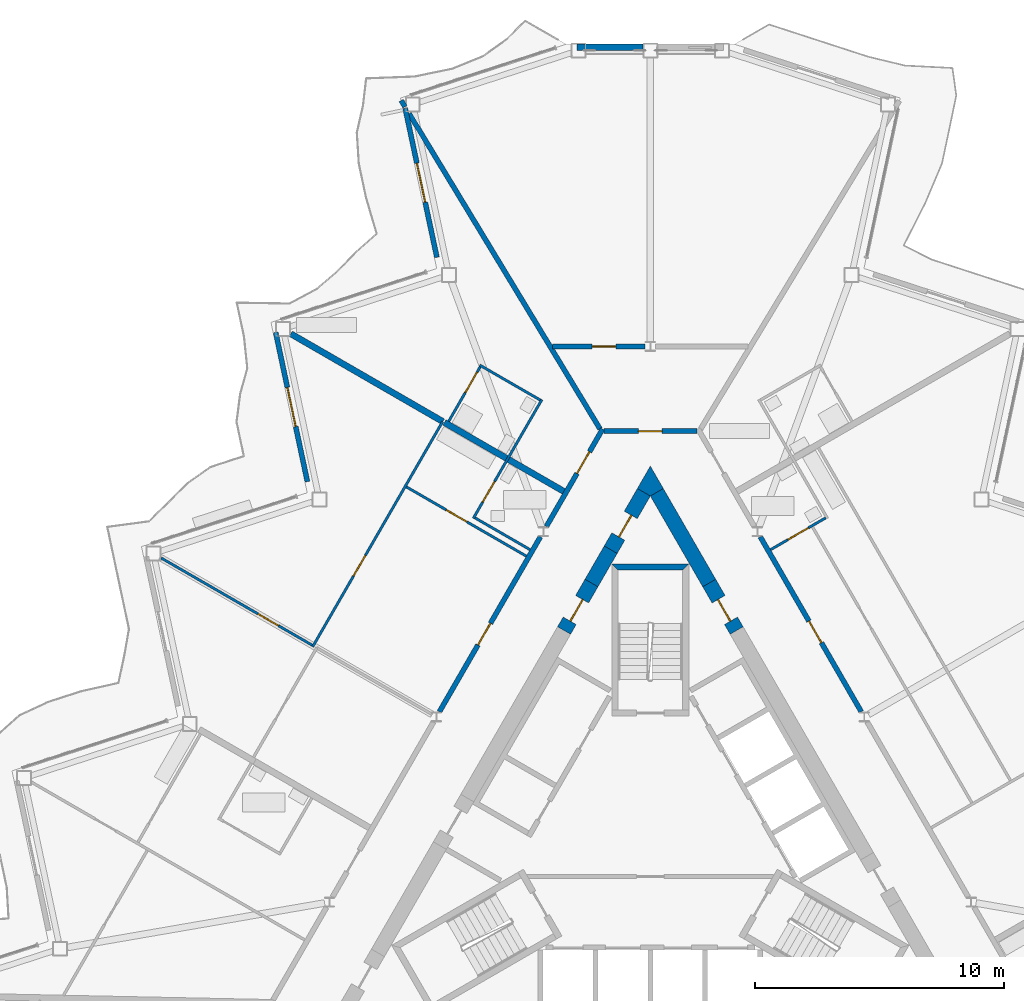
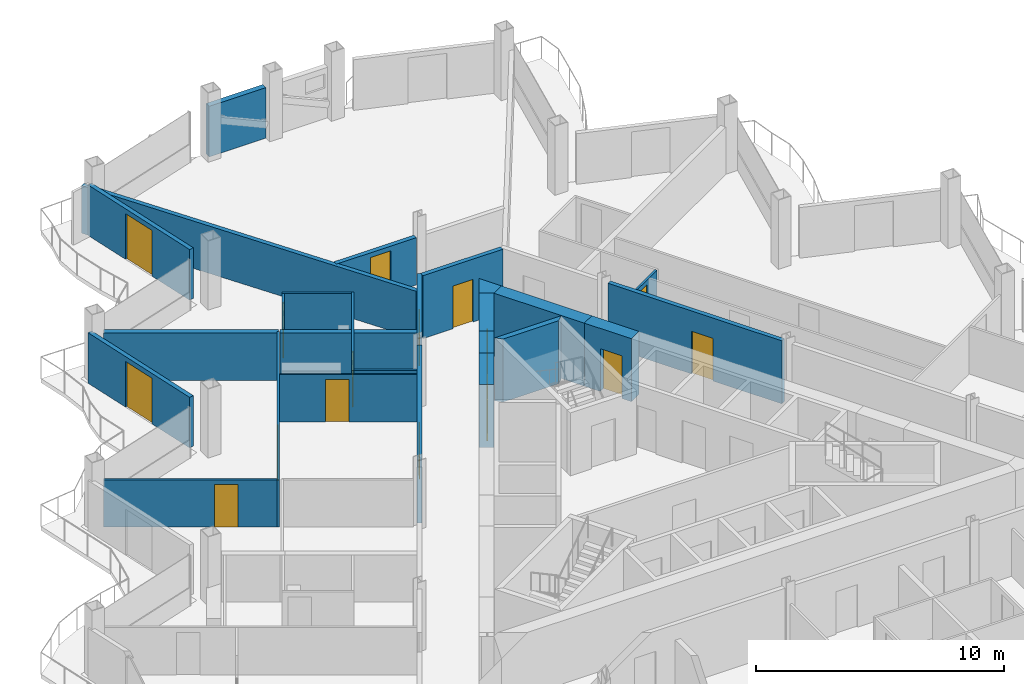
# One storey, part 18 of 27: 27 walls, 16 doors, 16 openings.
"""IFC4 building model written with IfcOpenShell, lengths in metres."""

from ifc_helpers import new_model, si_unit, direction, frame, frame_2d, origin, place, context, subcontext, project, spatial, polyline, rectangle, outline, extrude, material, layer, layer_set, type_object, element, fill, save


model = new_model("IFC4")

# Units and contexts
model_context = context("Model", 3, precision=1e-05, world=origin(), true_north=direction((0.0, 1.0)))
body_context = subcontext(model_context, "Body", "Model", "MODEL_VIEW")
ifc_project = project(units=[si_unit("LENGTHUNIT", "METRE"), si_unit("AREAUNIT", "SQUARE_METRE"), si_unit("VOLUMEUNIT", "CUBIC_METRE"), si_unit("PLANEANGLEUNIT", "RADIAN"), si_unit("MASSUNIT", "GRAM", prefix="KILO")], contexts=[model_context])

# Site, building, storey
site_placement = place(None, origin())
site = spatial("IfcSite", under=ifc_project, at=site_placement, CompositionType="ELEMENT")
building_placement = place(site_placement, origin())
building = spatial("IfcBuilding", under=site, at=building_placement, Name="Cormorant Prow Tower", CompositionType="ELEMENT")
storey_placement = place(building_placement, frame((0.0, 0.0, 318.800048828125)))
storey = spatial("IfcBuildingStorey", under=building, at=storey_placement, Name="L70", CompositionType="ELEMENT", Elevation=318.800048828125)

# Walls
ifc_material_1 = material(Name="Concrete 8000 psi", Category="concrete")
ifc_layer_1 = layer(ifc_material_1, 0.60009765625)
ifc_layer_set_1 = layer_set([ifc_layer_1], Name="Concrete 8000 psi")
wall_type_1 = type_object("IfcWallType", Name="Core shear wall 600", PredefinedType="SHEAR", material=ifc_layer_set_1)
wall_1_placement = place(storey_placement, frame((2.36083984375, 10.322021484375, 0.0), z_axis=(0.0, 0.0, 1.0), x_axis=(-0.500000735859, 0.866024978935, 0.0)))
element("IfcWall", 1, at=wall_1_placement, inside=storey, type_object=wall_type_1, Name="Core wall", PredefinedType="SHEAR", context=body_context, shape_type="SweptSolid", body=[
    extrude(rectangle(XDim=4.2021484375, YDim=0.60009765625, at=frame_2d((2.10107421875, 0.0))), origin(), (0.0, 0.0, 1.0), 3.099853515625),
])
wall_2_placement = place(storey_placement, frame((-1.589599609375, 11.65771484375, 0.0), z_axis=(0.0, 0.0, 1.0), x_axis=(-0.500037594623, -0.866003697431, 0.0)))
element("IfcWall", 2, at=wall_2_placement, inside=storey, type_object=wall_type_1, Name="Core wall", PredefinedType="SHEAR", context=body_context, shape_type="SweptSolid", body=[
    extrude(rectangle(XDim=1.54248046875, YDim=0.60009765625, at=frame_2d((0.771240234375, 0.0))), origin(), (0.0, 0.0, 1.0), 3.099853515625),
])
wall_3_placement = place(storey_placement, origin())
element("IfcWall", 3, at=wall_3_placement, inside=storey, type_object=wall_type_1, Name="Core wall corner", PredefinedType="SHEAR", context=body_context, shape_type="SweptSolid", body=[
    extrude(outline(polyline([(0.0, 13.81103515625), (-0.51953125, 14.111083984375), (0.0, 15.010986328125), (0.51953125, 14.111083984375), (0.0, 13.81103515625)])), origin(), (0.0, 0.0, 1.0), 3.099853515625),
])

# Wall, opening, door
wall_4_placement = place(storey_placement, frame((3.460693359375, 8.416748046875, 0.0), z_axis=(0.0, 0.0, 1.0), x_axis=(-0.499946605688, 0.86605622881, 0.0)))
wall_4 = element("IfcWall", 4, at=wall_4_placement, inside=storey, type_object=wall_type_1, Name="Core wall door panel", PredefinedType="SHEAR", context=body_context, shape_type="SweptSolid", body=[
    extrude(rectangle(XDim=2.199951171875, YDim=0.60009765625, at=frame_2d((1.10009765625, 0.0))), origin(), (0.0, 0.0, 1.0), 3.099853515625),
])
opening_1_placement = place(wall_4_placement, frame((0.449951171875, 0.0, 0.0)))
opening_1 = element("IfcOpeningElement", 5, at=opening_1_placement, cuts=wall_4, Name="Opening L70-C17", PredefinedType="OPENING", context=body_context, shape_type="SweptSolid", body=[
    extrude(rectangle(XDim=1.0, YDim=2.10009765625, at=frame_2d((0.5, 1.050048828125))), frame((0.0, 0.31005859375, 0.0), z_axis=(0.0, -1.0, 0.0), x_axis=(1.0, 0.0, 0.0)), (0.0, 0.0, 1.0), 0.6201171875),
])
ifc_material_2 = material(Name="Painted steel", Category="steel")
door_type_1 = type_object("IfcDoorType", Name="Service door 1000x2100", OperationType="NOTDEFINED", PredefinedType="DOOR", material=ifc_material_2)
door_1_placement = place(opening_1_placement, origin())
door_1 = element("IfcDoor", 6, at=door_1_placement, inside=storey, type_object=door_type_1, Name="Core door, Mechanical riser room", OperationType="SINGLE_SWING_RIGHT", OverallHeight=2.10009765625, OverallWidth=1.0, PredefinedType="DOOR", context=body_context, shape_type="SweptSolid", body=[
    extrude(rectangle(XDim=1.0, YDim=2.10009765625, at=frame_2d((0.5, 1.050048828125))), frame((0.0, 0.05517578125, 0.0), z_axis=(0.0, -1.0, 0.0), x_axis=(1.0, 0.0, 0.0)), (0.0, 0.0, 1.0), 0.050048828125),
])
fill(opening_1, door_1)

wall_5_placement = place(storey_placement, frame((-2.36083984375, 10.322021484375, 0.0), z_axis=(0.0, 0.0, 1.0), x_axis=(-0.499946605688, -0.86605622881, 0.0)))
wall_5 = element("IfcWall", 7, at=wall_5_placement, inside=storey, type_object=wall_type_1, Name="Core wall door panel", PredefinedType="SHEAR", context=body_context, shape_type="SweptSolid", body=[
    extrude(rectangle(XDim=2.199951171875, YDim=0.60009765625, at=frame_2d((1.10009765625, 0.0))), origin(), (0.0, 0.0, 1.0), 3.099853515625),
])
opening_2_placement = place(wall_5_placement, frame((0.75, 0.0, 0.0)))
opening_2 = element("IfcOpeningElement", 8, at=opening_2_placement, cuts=wall_5, Name="Opening L70-C18", PredefinedType="OPENING", context=body_context, shape_type="SweptSolid", body=[
    extrude(rectangle(XDim=1.0, YDim=2.10009765625, at=frame_2d((0.5, 1.050048828125))), frame((0.0, 0.31005859375, 0.0), z_axis=(0.0, -1.0, 0.0), x_axis=(1.0, 0.0, 0.0)), (0.0, 0.0, 1.0), 0.6201171875),
])
door_2_placement = place(opening_2_placement, origin())
door_2 = element("IfcDoor", 9, at=door_2_placement, inside=storey, type_object=door_type_1, Name="Core door, Mechanical riser room", OperationType="SINGLE_SWING_LEFT", OverallHeight=2.10009765625, OverallWidth=1.0, PredefinedType="DOOR", context=body_context, shape_type="SweptSolid", body=[
    extrude(rectangle(XDim=1.0, YDim=2.10009765625, at=frame_2d((0.5, 1.050048828125))), frame((0.0, 0.05517578125, 0.0), z_axis=(0.0, -1.0, 0.0), x_axis=(1.0, 0.0, 0.0)), (0.0, 0.0, 1.0), 0.050048828125),
])
fill(opening_2, door_2)

wall_6_placement = place(storey_placement, frame((-0.259765625, 13.961181640625, 0.0), z_axis=(0.0, 0.0, 1.0), x_axis=(-0.49997936161, -0.866037319036, 0.0)))
wall_6 = element("IfcWall", 10, at=wall_6_placement, inside=storey, type_object=wall_type_1, Name="Core wall door panel", PredefinedType="SHEAR", context=body_context, shape_type="SweptSolid", body=[
    extrude(rectangle(XDim=2.65966796875, YDim=0.60009765625, at=frame_2d((1.329833984375, 0.0))), origin(), (0.0, 0.0, 1.0), 3.099853515625),
])
opening_3_placement = place(wall_6_placement, frame((1.050048828125, 0.0, 0.0)))
opening_3 = element("IfcOpeningElement", 11, at=opening_3_placement, cuts=wall_6, Name="Opening L70-C19", PredefinedType="OPENING", context=body_context, shape_type="SweptSolid", body=[
    extrude(rectangle(XDim=1.0, YDim=2.10009765625, at=frame_2d((0.5, 1.050048828125))), frame((0.0, 0.31005859375, 0.0), z_axis=(0.0, -1.0, 0.0), x_axis=(1.0, 0.0, 0.0)), (0.0, 0.0, 1.0), 0.6201171875),
])
door_3_placement = place(opening_3_placement, origin())
door_3 = element("IfcDoor", 12, at=door_3_placement, inside=storey, type_object=door_type_1, Name="Core door, Mechanical riser room", OperationType="SINGLE_SWING_LEFT", OverallHeight=2.10009765625, OverallWidth=1.0, PredefinedType="DOOR", context=body_context, shape_type="SweptSolid", body=[
    extrude(rectangle(XDim=1.0, YDim=2.10009765625, at=frame_2d((0.5, 1.050048828125))), frame((0.0, 0.05517578125, 0.0), z_axis=(0.0, -1.0, 0.0), x_axis=(1.0, 0.0, 0.0)), (0.0, 0.0, 1.0), 0.050048828125),
])
fill(opening_3, door_3)

ifc_material_3 = material(Name="Gypsum board corridor wall")
ifc_layer_2 = layer(ifc_material_3, 0.199951171875)
ifc_layer_set_2 = layer_set([ifc_layer_2], Name="Gypsum board corridor wall")
wall_type_2 = type_object("IfcWallType", Name="Corridor wall 200", PredefinedType="PARTITIONING", material=ifc_layer_set_2)
wall_7_placement = place(storey_placement, frame((-8.45849609375, 5.160400390625, 0.0), z_axis=(0.0, 0.0, 1.0), x_axis=(0.499984266882, 0.866034487114, 0.0)))
wall_7 = element("IfcWall", 13, at=wall_7_placement, inside=storey, type_object=wall_type_2, Name="Corridor wall", PredefinedType="PARTITIONING", context=body_context, shape_type="SweptSolid", body=[
    extrude(rectangle(XDim=8.098876953125, YDim=0.199951171875, at=frame_2d((4.04931640625, 0.0))), origin(), (0.0, 0.0, 1.0), 3.099853515625),
])
opening_4_placement = place(wall_7_placement, frame((3.092529296875, 0.0, 0.0)))
opening_4 = element("IfcOpeningElement", 14, at=opening_4_placement, cuts=wall_7, Name="Opening L70-F37", PredefinedType="OPENING", context=body_context, shape_type="SweptSolid", body=[
    extrude(rectangle(XDim=1.0, YDim=2.10009765625, at=frame_2d((0.5, 1.050048828125))), frame((0.0, 0.10986328125, 0.0), z_axis=(0.0, -1.0, 0.0), x_axis=(1.0, 0.0, 0.0)), (0.0, 0.0, 1.0), 0.219970703125),
])
ifc_material_4 = material(Name="Timber door leaf", Category="wood")
door_type_2 = type_object("IfcDoorType", Name="Flat or room entrance door 1000x2100", OperationType="NOTDEFINED", PredefinedType="DOOR", material=ifc_material_4)
door_4_placement = place(opening_4_placement, origin())
door_4 = element("IfcDoor", 15, at=door_4_placement, inside=storey, type_object=door_type_2, Name="Living room door", OperationType="SINGLE_SWING_LEFT", OverallHeight=2.10009765625, OverallWidth=1.0, PredefinedType="DOOR", context=body_context, shape_type="SweptSolid", body=[
    extrude(rectangle(XDim=1.0, YDim=2.10009765625, at=frame_2d((0.5, 1.050048828125))), frame((0.0, 0.02490234375, 0.0), z_axis=(0.0, -1.0, 0.0), x_axis=(1.0, 0.0, 0.0)), (0.0, 0.0, 1.0), 0.050048828125),
])
fill(opening_4, door_4)

wall_8_placement = place(storey_placement, frame((4.4091796875, 12.17431640625, 0.0), z_axis=(0.0, 0.0, 1.0), x_axis=(0.499984266882, -0.866034487114, 0.0)))
wall_8 = element("IfcWall", 16, at=wall_8_placement, inside=storey, type_object=wall_type_2, Name="Corridor wall", PredefinedType="PARTITIONING", context=body_context, shape_type="SweptSolid", body=[
    extrude(rectangle(XDim=8.098876953125, YDim=0.199951171875, at=frame_2d((4.04931640625, 0.0))), origin(), (0.0, 0.0, 1.0), 3.099853515625),
])
opening_5_placement = place(wall_8_placement, frame((3.90478515625, 0.0, 0.0)))
opening_5 = element("IfcOpeningElement", 17, at=opening_5_placement, cuts=wall_8, Name="Opening L70-F25", PredefinedType="OPENING", context=body_context, shape_type="SweptSolid", body=[
    extrude(rectangle(XDim=1.0, YDim=2.10009765625, at=frame_2d((0.5, 1.050048828125))), frame((0.0, 0.10986328125, 0.0), z_axis=(0.0, -1.0, 0.0), x_axis=(1.0, 0.0, 0.0)), (0.0, 0.0, 1.0), 0.219970703125),
])
door_5_placement = place(opening_5_placement, origin())
door_5 = element("IfcDoor", 18, at=door_5_placement, inside=storey, type_object=door_type_2, Name="Living room door", OperationType="SINGLE_SWING_RIGHT", OverallHeight=2.10009765625, OverallWidth=1.0, PredefinedType="DOOR", context=body_context, shape_type="SweptSolid", body=[
    extrude(rectangle(XDim=1.0, YDim=2.10009765625, at=frame_2d((0.5, 1.050048828125))), frame((0.0, 0.02490234375, 0.0), z_axis=(0.0, -1.0, 0.0), x_axis=(1.0, 0.0, 0.0)), (0.0, 0.0, 1.0), 0.050048828125),
])
fill(opening_5, door_5)

wall_9_placement = place(storey_placement, frame((-4.169189453125, 12.589599609375, 0.0), z_axis=(0.0, 0.0, 1.0), x_axis=(0.499950370306, 0.866054055606, 0.0)))
wall_9 = element("IfcWall", 19, at=wall_9_placement, inside=storey, type_object=wall_type_2, Name="Corridor wall", PredefinedType="PARTITIONING", context=body_context, shape_type="SweptSolid", body=[
    extrude(rectangle(XDim=4.5126953125, YDim=0.199951171875, at=frame_2d((2.25634765625, 0.0))), origin(), (0.0, 0.0, 1.0), 3.099853515625),
])
opening_6_placement = place(wall_9_placement, frame((2.459228515625, 0.0, 0.0)))
opening_6 = element("IfcOpeningElement", 20, at=opening_6_placement, cuts=wall_9, Name="Opening L70-F35", PredefinedType="OPENING", context=body_context, shape_type="SweptSolid", body=[
    extrude(rectangle(XDim=1.0, YDim=2.10009765625, at=frame_2d((0.5, 1.050048828125))), frame((0.0, 0.10986328125, 0.0), z_axis=(0.0, -1.0, 0.0), x_axis=(1.0, 0.0, 0.0)), (0.0, 0.0, 1.0), 0.219970703125),
])
door_6_placement = place(opening_6_placement, origin())
door_6 = element("IfcDoor", 21, at=door_6_placement, inside=storey, type_object=door_type_2, Name="Studio living, kitchen and sleeping room door", OperationType="SINGLE_SWING_LEFT", OverallHeight=2.10009765625, OverallWidth=1.0, PredefinedType="DOOR", context=body_context, shape_type="SweptSolid", body=[
    extrude(rectangle(XDim=1.0, YDim=2.10009765625, at=frame_2d((0.5, 1.050048828125))), frame((0.0, 0.02490234375, 0.0), z_axis=(0.0, -1.0, 0.0), x_axis=(1.0, 0.0, 0.0)), (0.0, 0.0, 1.0), 0.050048828125),
])
fill(opening_6, door_6)

wall_10_placement = place(storey_placement, frame((-1.863037109375, 16.4111328125, 0.0), z_axis=(0.0, 0.0, 1.0), x_axis=(1.0, 0.0, 0.0)))
wall_10 = element("IfcWall", 22, at=wall_10_placement, inside=storey, type_object=wall_type_2, Name="Corridor wall", PredefinedType="PARTITIONING", context=body_context, shape_type="SweptSolid", body=[
    extrude(rectangle(XDim=3.72607421875, YDim=0.199951171875, at=frame_2d((1.863037109375, 0.0))), origin(), (0.0, 0.0, 1.0), 3.099853515625),
])
opening_7_placement = place(wall_10_placement, frame((1.387939453125, 0.0, 0.0)))
opening_7 = element("IfcOpeningElement", 23, at=opening_7_placement, cuts=wall_10, Name="Opening L70-F33", PredefinedType="OPENING", context=body_context, shape_type="SweptSolid", body=[
    extrude(rectangle(XDim=0.949951171875, YDim=2.10009765625, at=frame_2d((0.47509765625, 1.050048828125))), frame((0.0, 0.10986328125, 0.0), z_axis=(0.0, -1.0, 0.0), x_axis=(1.0, 0.0, 0.0)), (0.0, 0.0, 1.0), 0.219970703125),
])
ifc_material_5 = material(Name="Timber door leaf", Category="wood")
door_type_3 = type_object("IfcDoorType", Name="Store door 950x2100", OperationType="NOTDEFINED", PredefinedType="DOOR", material=ifc_material_5)
door_7_placement = place(opening_7_placement, origin())
door_7 = element("IfcDoor", 24, at=door_7_placement, inside=storey, type_object=door_type_3, Name="Bicycle store door", OperationType="SINGLE_SWING_RIGHT", OverallHeight=2.10009765625, OverallWidth=0.949951171875, PredefinedType="DOOR", context=body_context, shape_type="SweptSolid", body=[
    extrude(rectangle(XDim=0.949951171875, YDim=2.10009765625, at=frame_2d((0.47509765625, 1.050048828125))), frame((0.0, 0.02490234375, 0.0), z_axis=(0.0, -1.0, 0.0), x_axis=(1.0, 0.0, 0.0)), (0.0, 0.0, 1.0), 0.050048828125),
])
fill(opening_7, door_7)

# Wall
ifc_material_6 = material(Name="Gypsum board demising wall")
ifc_layer_3 = layer(ifc_material_6, 0.199951171875)
ifc_layer_set_3 = layer_set([ifc_layer_3], Name="Gypsum board demising wall")
wall_type_3 = type_object("IfcWallType", Name="Demising wall 200", PredefinedType="PARTITIONING", material=ifc_layer_set_3)
wall_11_placement = place(storey_placement, frame((-9.66943359375, 29.144287109375, 0.0), z_axis=(0.0, 0.0, 1.0), x_axis=(0.517770554559, -0.85551952218, 0.0)))
element("IfcWall", 25, at=wall_11_placement, inside=storey, type_object=wall_type_3, Name="Demising wall", PredefinedType="PARTITIONING", context=body_context, shape_type="SweptSolid", body=[
    extrude(rectangle(XDim=14.78369140625, YDim=0.199951171875, at=frame_2d((7.391845703125, 0.0))), origin(), (0.0, 0.0, 1.0), 2.330078125),
])

# Wall, opening, door
wall_12_placement = place(storey_placement, frame((-3.926025390625, 19.81103515625, 0.0), z_axis=(0.0, 0.0, 1.0), x_axis=(1.0, 0.0, 0.0)))
wall_12 = element("IfcWall", 26, at=wall_12_placement, inside=storey, type_object=wall_type_3, Name="Demising wall", PredefinedType="PARTITIONING", context=body_context, shape_type="SweptSolid", body=[
    extrude(rectangle(XDim=3.71826171875, YDim=0.199951171875, at=frame_2d((1.859130859375, 0.0))), origin(), (0.0, 0.0, 1.0), 2.330078125),
])
opening_8_placement = place(wall_12_placement, frame((1.59033203125, 0.0, 0.0)))
opening_8 = element("IfcOpeningElement", 27, at=opening_8_placement, cuts=wall_12, Name="Opening L70-F34", PredefinedType="OPENING", context=body_context, shape_type="SweptSolid", body=[
    extrude(rectangle(XDim=0.949951171875, YDim=2.10009765625, at=frame_2d((0.47509765625, 1.050048828125))), frame((0.0, 0.10986328125, 0.0), z_axis=(0.0, -1.0, 0.0), x_axis=(1.0, 0.0, 0.0)), (0.0, 0.0, 1.0), 0.219970703125),
])
door_8_placement = place(opening_8_placement, origin())
door_8 = element("IfcDoor", 28, at=door_8_placement, inside=storey, type_object=door_type_3, Name="Refuse room door", OperationType="SINGLE_SWING_LEFT", OverallHeight=2.10009765625, OverallWidth=0.949951171875, PredefinedType="DOOR", context=body_context, shape_type="SweptSolid", body=[
    extrude(rectangle(XDim=0.949951171875, YDim=2.10009765625, at=frame_2d((0.47509765625, 1.050048828125))), frame((0.0, 0.02490234375, 0.0), z_axis=(0.0, -1.0, 0.0), x_axis=(1.0, 0.0, 0.0)), (0.0, 0.0, 1.0), 0.050048828125),
])
fill(opening_8, door_8)

# Wall
wall_13_placement = place(storey_placement, frame((-9.98876953125, 29.671630859375, 0.0), z_axis=(0.0, 0.0, 1.0), x_axis=(0.517931387916, -0.855422163268, 0.0)))
element("IfcWall", 29, at=wall_13_placement, inside=storey, type_object=wall_type_3, Name="Demising wall", PredefinedType="PARTITIONING", context=body_context, shape_type="SweptSolid", body=[
    extrude(rectangle(XDim=0.292236328125, YDim=0.199951171875, at=frame_2d((0.14599609375, 0.0))), origin(), (0.0, 0.0, 1.0), 2.330078125),
])

# Wall, opening, door
ifc_material_7 = material(Name="Gypsum board partition")
ifc_layer_4 = layer(ifc_material_7, 0.10009765625)
ifc_layer_set_4 = layer_set([ifc_layer_4], Name="Gypsum board partition")
wall_type_4 = type_object("IfcWallType", Name="Internal partition 100", PredefinedType="PARTITIONING", material=ifc_layer_set_4)
wall_14_placement = place(storey_placement, frame((-13.544189453125, 7.761962890625, 0.0), z_axis=(0.0, 0.0, 1.0), x_axis=(0.499993819111, 0.866028972293, 0.0)))
wall_14 = element("IfcWall", 30, at=wall_14_placement, inside=storey, type_object=wall_type_4, Name="Internal partition", PredefinedType="PARTITIONING", context=body_context, shape_type="SweptSolid", body=[
    extrude(rectangle(XDim=10.435791015625, YDim=0.10009765625, at=frame_2d((5.2177734375, 0.0))), origin(), (0.0, 0.0, 1.0), 2.330078125),
])
opening_9_placement = place(wall_14_placement, frame((3.27880859375, 0.0, 0.0)))
opening_9 = element("IfcOpeningElement", 31, at=opening_9_placement, cuts=wall_14, Name="Opening L70-F39", PredefinedType="OPENING", context=body_context, shape_type="SweptSolid", body=[
    extrude(rectangle(XDim=0.949951171875, YDim=2.10009765625, at=frame_2d((0.47509765625, 1.050048828125))), frame((0.0, 0.06005859375, 0.0), z_axis=(0.0, -1.0, 0.0), x_axis=(1.0, 0.0, 0.0)), (0.0, 0.0, 1.0), 0.1201171875),
])
ifc_material_8 = material(Name="Timber door leaf", Category="wood")
door_type_4 = type_object("IfcDoorType", Name="Bathroom door 950x2100", OperationType="NOTDEFINED", PredefinedType="DOOR", material=ifc_material_8)
door_9_placement = place(opening_9_placement, origin())
door_9 = element("IfcDoor", 32, at=door_9_placement, inside=storey, type_object=door_type_4, Name="Living room door", OperationType="SINGLE_SWING_RIGHT", OverallHeight=2.10009765625, OverallWidth=0.949951171875, PredefinedType="DOOR", context=body_context, shape_type="SweptSolid", body=[
    extrude(rectangle(XDim=0.949951171875, YDim=2.10009765625, at=frame_2d((0.47509765625, 1.050048828125))), frame((0.0, 0.02490234375, 0.0), z_axis=(0.0, -1.0, 0.0), x_axis=(1.0, 0.0, 0.0)), (0.0, 0.0, 1.0), 0.050048828125),
])
fill(opening_9, door_9)

wall_15_placement = place(storey_placement, frame((-19.615478515625, 11.3251953125, 0.0), z_axis=(0.0, 0.0, 1.0), x_axis=(0.866013987544, -0.500019772988, 0.0)))
wall_15 = element("IfcWall", 33, at=wall_15_placement, inside=storey, type_object=wall_type_4, Name="Internal partition", PredefinedType="PARTITIONING", context=body_context, shape_type="SweptSolid", body=[
    extrude(rectangle(XDim=6.989501953125, YDim=0.10009765625, at=frame_2d((3.49462890625, 0.0))), origin(), (0.0, 0.0, 1.0), 2.330078125),
])
opening_10_placement = place(wall_15_placement, frame((4.480224609375, 0.0, 0.0)))
opening_10 = element("IfcOpeningElement", 34, at=opening_10_placement, cuts=wall_15, Name="Opening L70-F40", PredefinedType="OPENING", context=body_context, shape_type="SweptSolid", body=[
    extrude(rectangle(XDim=0.949951171875, YDim=2.10009765625, at=frame_2d((0.47509765625, 1.050048828125))), frame((0.0, 0.06005859375, 0.0), z_axis=(0.0, -1.0, 0.0), x_axis=(1.0, 0.0, 0.0)), (0.0, 0.0, 1.0), 0.1201171875),
])
door_10_placement = place(opening_10_placement, origin())
door_10 = element("IfcDoor", 35, at=door_10_placement, inside=storey, type_object=door_type_4, Name="Dining room door", OperationType="SINGLE_SWING_LEFT", OverallHeight=2.10009765625, OverallWidth=0.949951171875, PredefinedType="DOOR", context=body_context, shape_type="SweptSolid", body=[
    extrude(rectangle(XDim=0.949951171875, YDim=2.10009765625, at=frame_2d((0.47509765625, 1.050048828125))), frame((0.0, 0.02490234375, 0.0), z_axis=(0.0, -1.0, 0.0), x_axis=(1.0, 0.0, 0.0)), (0.0, 0.0, 1.0), 0.050048828125),
])
fill(opening_10, door_10)

wall_16_placement = place(storey_placement, frame((-9.783203125, 14.176513671875, 0.0), z_axis=(0.0, 0.0, 1.0), x_axis=(0.866030435321, -0.499991285022, 0.0)))
wall_16 = element("IfcWall", 36, at=wall_16_placement, inside=storey, type_object=wall_type_4, Name="Internal partition", PredefinedType="PARTITIONING", context=body_context, shape_type="SweptSolid", body=[
    extrude(rectangle(XDim=5.55517578125, YDim=0.10009765625, at=frame_2d((2.777587890625, 0.0))), origin(), (0.0, 0.0, 1.0), 2.330078125),
])
opening_11_placement = place(wall_16_placement, frame((1.85205078125, 0.0, 0.0)))
opening_11 = element("IfcOpeningElement", 37, at=opening_11_placement, cuts=wall_16, Name="Opening L70-F38", PredefinedType="OPENING", context=body_context, shape_type="SweptSolid", body=[
    extrude(rectangle(XDim=0.949951171875, YDim=2.10009765625, at=frame_2d((0.47509765625, 1.050048828125))), frame((0.0, 0.06005859375, 0.0), z_axis=(0.0, -1.0, 0.0), x_axis=(1.0, 0.0, 0.0)), (0.0, 0.0, 1.0), 0.1201171875),
])
door_11_placement = place(opening_11_placement, origin())
door_11 = element("IfcDoor", 38, at=door_11_placement, inside=storey, type_object=door_type_4, Name="Living room door", OperationType="SINGLE_SWING_RIGHT", OverallHeight=2.10009765625, OverallWidth=0.949951171875, PredefinedType="DOOR", context=body_context, shape_type="SweptSolid", body=[
    extrude(rectangle(XDim=0.949951171875, YDim=2.10009765625, at=frame_2d((0.47509765625, 1.050048828125))), frame((0.0, 0.02490234375, 0.0), z_axis=(0.0, -1.0, 0.0), x_axis=(1.0, 0.0, 0.0)), (0.0, 0.0, 1.0), 0.050048828125),
])
fill(opening_11, door_11)

wall_17_placement = place(storey_placement, frame((-7.098876953125, 12.915283203125, 0.0), z_axis=(0.0, 0.0, 1.0), x_axis=(0.49997732567, 0.866038494419, 0.0)))
wall_17 = element("IfcWall", 39, at=wall_17_placement, inside=storey, type_object=wall_type_4, Name="Internal partition", PredefinedType="PARTITIONING", context=body_context, shape_type="SweptSolid", body=[
    extrude(rectangle(XDim=5.500244140625, YDim=0.10009765625, at=frame_2d((2.75, 0.0))), origin(), (0.0, 0.0, 1.0), 2.330078125),
])
opening_12_placement = place(wall_17_placement, frame((0.75634765625, 0.0, 0.0)))
opening_12 = element("IfcOpeningElement", 40, at=opening_12_placement, cuts=wall_17, Name="Opening L70-F42", PredefinedType="OPENING", context=body_context, shape_type="SweptSolid", body=[
    extrude(rectangle(XDim=0.949951171875, YDim=2.10009765625, at=frame_2d((0.47509765625, 1.050048828125))), frame((0.0, 0.06005859375, 0.0), z_axis=(0.0, -1.0, 0.0), x_axis=(1.0, 0.0, 0.0)), (0.0, 0.0, 1.0), 0.1201171875),
])
door_12_placement = place(opening_12_placement, origin())
door_12 = element("IfcDoor", 41, at=door_12_placement, inside=storey, type_object=door_type_4, Name="Kitchen door", OperationType="SINGLE_SWING_LEFT", OverallHeight=2.10009765625, OverallWidth=0.949951171875, PredefinedType="DOOR", context=body_context, shape_type="SweptSolid", body=[
    extrude(rectangle(XDim=0.949951171875, YDim=2.10009765625, at=frame_2d((0.47509765625, 1.050048828125))), frame((0.0, 0.02490234375, 0.0), z_axis=(0.0, -1.0, 0.0), x_axis=(1.0, 0.0, 0.0)), (0.0, 0.0, 1.0), 0.050048828125),
])
fill(opening_12, door_12)

# Wall
wall_18_placement = place(storey_placement, frame((-6.842041015625, 19.060302734375, 0.0), z_axis=(0.0, 0.0, 1.0), x_axis=(0.866034573852, -0.49998411664, 0.0)))
element("IfcWall", 42, at=wall_18_placement, inside=storey, type_object=wall_type_4, Name="Internal partition", PredefinedType="PARTITIONING", context=body_context, shape_type="SweptSolid", body=[
    extrude(rectangle(XDim=2.7998046875, YDim=0.10009765625, at=frame_2d((1.39990234375, 0.0))), origin(), (0.0, 0.0, 1.0), 2.330078125),
])

# Wall, opening, door
wall_19_placement = place(storey_placement, frame((4.822265625, 11.65869140625, 0.0), z_axis=(0.0, 0.0, 1.0), x_axis=(0.866030925526, 0.499990435942, 0.0)))
wall_19 = element("IfcWall", 43, at=wall_19_placement, inside=storey, type_object=wall_type_4, Name="Internal partition", PredefinedType="PARTITIONING", context=body_context, shape_type="SweptSolid", body=[
    extrude(rectangle(XDim=2.5498046875, YDim=0.10009765625, at=frame_2d((1.27490234375, 0.0))), origin(), (0.0, 0.0, 1.0), 2.330078125),
])
opening_13_placement = place(wall_19_placement, frame((0.800048828125, 0.0, 0.0)))
opening_13 = element("IfcOpeningElement", 44, at=opening_13_placement, cuts=wall_19, Name="Opening L70-F26", PredefinedType="OPENING", context=body_context, shape_type="SweptSolid", body=[
    extrude(rectangle(XDim=0.949951171875, YDim=2.10009765625, at=frame_2d((0.47509765625, 1.050048828125))), frame((0.0, 0.06005859375, 0.0), z_axis=(0.0, -1.0, 0.0), x_axis=(1.0, 0.0, 0.0)), (0.0, 0.0, 1.0), 0.1201171875),
])
door_13_placement = place(opening_13_placement, origin())
door_13 = element("IfcDoor", 45, at=door_13_placement, inside=storey, type_object=door_type_4, Name="Living room door", OperationType="SINGLE_SWING_RIGHT", OverallHeight=2.10009765625, OverallWidth=0.949951171875, PredefinedType="DOOR", context=body_context, shape_type="SweptSolid", body=[
    extrude(rectangle(XDim=0.949951171875, YDim=2.10009765625, at=frame_2d((0.47509765625, 1.050048828125))), frame((0.0, 0.02490234375, 0.0), z_axis=(0.0, -1.0, 0.0), x_axis=(1.0, 0.0, 0.0)), (0.0, 0.0, 1.0), 0.050048828125),
])
fill(opening_13, door_13)

# Wall
wall_20_placement = place(storey_placement, frame((-7.030517578125, 12.93359375, 0.0), z_axis=(0.0, 0.0, 1.0), x_axis=(0.866030925526, -0.499990435942, 0.0)))
element("IfcWall", 46, at=wall_20_placement, inside=storey, type_object=wall_type_4, Name="Internal partition", PredefinedType="PARTITIONING", context=body_context, shape_type="SweptSolid", body=[
    extrude(rectangle(XDim=2.5498046875, YDim=0.10009765625, at=frame_2d((1.27490234375, 0.0))), origin(), (0.0, 0.0, 1.0), 2.330078125),
])

# Wall, opening, door
wall_21_placement = place(storey_placement, frame((-8.086181640625, 16.805419921875, 0.0), z_axis=(0.0, 0.0, 1.0), x_axis=(0.50001820224, 0.866014894461, 0.0)))
wall_21 = element("IfcWall", 47, at=wall_21_placement, inside=storey, type_object=wall_type_4, Name="Internal partition", PredefinedType="PARTITIONING", context=body_context, shape_type="SweptSolid", body=[
    extrude(rectangle(XDim=2.52490234375, YDim=0.10009765625, at=frame_2d((1.262451171875, 0.0))), origin(), (0.0, 0.0, 1.0), 2.330078125),
])
opening_14_placement = place(wall_21_placement, frame((1.324951171875, 0.0, 0.0)))
opening_14 = element("IfcOpeningElement", 48, at=opening_14_placement, cuts=wall_21, Name="Opening L70-F36", PredefinedType="OPENING", context=body_context, shape_type="SweptSolid", body=[
    extrude(rectangle(XDim=0.949951171875, YDim=2.10009765625, at=frame_2d((0.47509765625, 1.050048828125))), frame((0.0, 0.06005859375, 0.0), z_axis=(0.0, -1.0, 0.0), x_axis=(1.0, 0.0, 0.0)), (0.0, 0.0, 1.0), 0.1201171875),
])
door_14_placement = place(opening_14_placement, origin())
door_14 = element("IfcDoor", 49, at=door_14_placement, inside=storey, type_object=door_type_4, Name="Studio living, kitchen and sleeping room door", OperationType="SINGLE_SWING_RIGHT", OverallHeight=2.10009765625, OverallWidth=0.949951171875, PredefinedType="DOOR", context=body_context, shape_type="SweptSolid", body=[
    extrude(rectangle(XDim=0.949951171875, YDim=2.10009765625, at=frame_2d((0.47509765625, 1.050048828125))), frame((0.0, 0.02490234375, 0.0), z_axis=(0.0, -1.0, 0.0), x_axis=(1.0, 0.0, 0.0)), (0.0, 0.0, 1.0), 0.050048828125),
])
fill(opening_14, door_14)

# Walls
ifc_material_9 = material(Name="Concrete 8000 psi", Category="concrete")
ifc_layer_5 = layer(ifc_material_9, 0.25)
ifc_layer_set_5 = layer_set([ifc_layer_5], Name="Concrete 8000 psi")
wall_type_5 = type_object("IfcWallType", Name="Stair wall 250", PredefinedType="SHEAR", material=ifc_layer_set_5)
wall_22_placement = place(storey_placement, origin())
element("IfcWall", 50, at=wall_22_placement, inside=storey, type_object=wall_type_5, Name="Stair ST3 enclosure wall (end)", PredefinedType="SHEAR", context=body_context, shape_type="SweptSolid", body=[
    extrude(outline(polyline([(1.5439453125, 11.0869140625), (-1.5439453125, 11.0869140625), (-1.2939453125, 10.8369140625), (1.2939453125, 10.8369140625), (1.5439453125, 11.0869140625)])), origin(), (0.0, 0.0, 1.0), 3.099853515625),
])
ifc_material_10 = material(Name="Acoustic gypsum party wall")
ifc_layer_6 = layer(ifc_material_10, 0.25)
ifc_layer_set_6 = layer_set([ifc_layer_6], Name="Acoustic gypsum party wall")
wall_type_6 = type_object("IfcWallType", Name="Suite party wall 250", PredefinedType="PARTITIONING", material=ifc_layer_set_6)
wall_23_placement = place(storey_placement, frame((-14.41650390625, 20.315673828125, 0.0), z_axis=(0.0, 0.0, 1.0), x_axis=(0.866022207469, -0.50000553614, 0.0)))
element("IfcWall", 51, at=wall_23_placement, inside=storey, type_object=wall_type_6, Name="Suite party wall", PredefinedType="PARTITIONING", context=body_context, shape_type="SweptSolid", body=[
    extrude(rectangle(XDim=7.04248046875, YDim=0.25, at=frame_2d((3.521240234375, 0.0))), origin(), (0.0, 0.0, 1.0), 2.330078125),
])
wall_24_placement = place(storey_placement, frame((-8.257080078125, 16.759521484375, 0.0), z_axis=(0.0, 0.0, 1.0), x_axis=(0.866034739526, -0.499983829672, 0.0)))
element("IfcWall", 52, at=wall_24_placement, inside=storey, type_object=wall_type_6, Name="Suite party wall", PredefinedType="PARTITIONING", context=body_context, shape_type="SweptSolid", body=[
    extrude(rectangle(XDim=5.525146484375, YDim=0.25, at=frame_2d((2.7626953125, 0.0))), origin(), (0.0, 0.0, 1.0), 2.330078125),
])
ifc_material_11 = material(Name="Terracotta", Category="masonry")
ifc_layer_7 = layer(ifc_material_11, 0.25)
ifc_layer_set_7 = layer_set([ifc_layer_7], Name="Terracotta")
wall_type_7 = type_object("IfcWallType", Name="Terracotta bay wall 250", PredefinedType="SOLIDWALL", material=ifc_layer_set_7)
wall_25_placement = place(storey_placement, frame((-0.300048828125, 31.803955078125, 0.0), z_axis=(0.0, 0.0, 1.0), x_axis=(-1.0, 0.0, 0.0)))
element("IfcWall", 53, at=wall_25_placement, inside=storey, type_object=wall_type_7, Name="Terracotta bay wall N01", PredefinedType="SOLIDWALL", context=body_context, shape_type="SweptSolid", body=[
    extrude(rectangle(XDim=2.64013671875, YDim=0.25, at=frame_2d((1.320068359375, 0.0))), origin(), (0.0, 0.0, 1.0), 2.48779296875),
])

# Wall, opening, door
ifc_material_12 = material(Name="Terracotta", Category="masonry")
ifc_layer_8 = layer(ifc_material_12, 0.199951171875)
ifc_layer_set_8 = layer_set([ifc_layer_8], Name="Terracotta")
wall_type_8 = type_object("IfcWallType", Name="Terracotta jamb wall 200", PredefinedType="SOLIDWALL", material=ifc_layer_set_8)
wall_26_placement = place(storey_placement, frame((-9.831787109375, 29.36572265625, 0.0), z_axis=(0.0, 0.0, 1.0), x_axis=(0.207932234858, -0.978143233738, 0.0)))
wall_26 = element("IfcWall", 54, at=wall_26_placement, inside=storey, type_object=wall_type_8, Name="Terracotta jamb wall WNW01", PredefinedType="SOLIDWALL", context=body_context, shape_type="SweptSolid", body=[
    extrude(rectangle(XDim=6.11962890625, YDim=0.199951171875, at=frame_2d((3.059814453125, 0.0))), origin(), (0.0, 0.0, 1.0), 2.48779296875),
])
opening_15_placement = place(wall_26_placement, frame((2.259765625, 0.0, 0.0)))
opening_15 = element("IfcOpeningElement", 55, at=opening_15_placement, cuts=wall_26, Name="Opening ED70.11", PredefinedType="OPENING", context=body_context, shape_type="SweptSolid", body=[
    extrude(rectangle(XDim=1.60009765625, YDim=2.25, at=frame_2d((0.800048828125, 1.125))), frame((0.0, 0.10986328125, 0.0), z_axis=(0.0, -1.0, 0.0), x_axis=(1.0, 0.0, 0.0)), (0.0, 0.0, 1.0), 0.219970703125),
])
ifc_material_13 = material(Name="Aluminium 6063-T6", Category="aluminium")
door_type_5 = type_object("IfcDoorType", Name="Balcony door 1600x2250", OperationType="DOUBLE_DOOR_SINGLE_SWING", PredefinedType="DOOR", material=ifc_material_13)
door_15_placement = place(opening_15_placement, origin())
door_15 = element("IfcDoor", 56, at=door_15_placement, inside=storey, type_object=door_type_5, Name="Balcony door WNW01 ED70.11", OperationType="DOUBLE_DOOR_SINGLE_SWING", OverallHeight=2.25, OverallWidth=1.60009765625, PredefinedType="DOOR", context=body_context, shape_type="SweptSolid", body=[
    extrude(rectangle(XDim=1.60009765625, YDim=2.25, at=frame_2d((0.800048828125, 1.125))), frame((0.0, 0.02490234375, 0.0), z_axis=(0.0, -1.0, 0.0), x_axis=(1.0, 0.0, 0.0)), (0.0, 0.0, 1.0), 0.050048828125),
])
fill(opening_15, door_15)

wall_27_placement = place(storey_placement, frame((-15.024658203125, 20.37158203125, 0.0), z_axis=(0.0, 0.0, 1.0), x_axis=(0.207932234858, -0.978143233738, 0.0)))
wall_27 = element("IfcWall", 57, at=wall_27_placement, inside=storey, type_object=wall_type_8, Name="Terracotta jamb wall WNW03", PredefinedType="SOLIDWALL", context=body_context, shape_type="SweptSolid", body=[
    extrude(rectangle(XDim=6.11962890625, YDim=0.199951171875, at=frame_2d((3.059814453125, 0.0))), origin(), (0.0, 0.0, 1.0), 2.48779296875),
])
opening_16_placement = place(wall_27_placement, frame((2.259765625, 0.0, 0.0)))
opening_16 = element("IfcOpeningElement", 58, at=opening_16_placement, cuts=wall_27, Name="Opening ED70.12", PredefinedType="OPENING", context=body_context, shape_type="SweptSolid", body=[
    extrude(rectangle(XDim=1.60009765625, YDim=2.25, at=frame_2d((0.800048828125, 1.125))), frame((0.0, 0.10986328125, 0.0), z_axis=(0.0, -1.0, 0.0), x_axis=(1.0, 0.0, 0.0)), (0.0, 0.0, 1.0), 0.219970703125),
])
door_16_placement = place(opening_16_placement, origin())
door_16 = element("IfcDoor", 59, at=door_16_placement, inside=storey, type_object=door_type_5, Name="Balcony door WNW03 ED70.12", OperationType="DOUBLE_DOOR_SINGLE_SWING", OverallHeight=2.25, OverallWidth=1.60009765625, PredefinedType="DOOR", context=body_context, shape_type="SweptSolid", body=[
    extrude(rectangle(XDim=1.60009765625, YDim=2.25, at=frame_2d((0.800048828125, 1.125))), frame((0.0, 0.02490234375, 0.0), z_axis=(0.0, -1.0, 0.0), x_axis=(1.0, 0.0, 0.0)), (0.0, 0.0, 1.0), 0.050048828125),
])
fill(opening_16, door_16)

save(model, "model.ifc")
